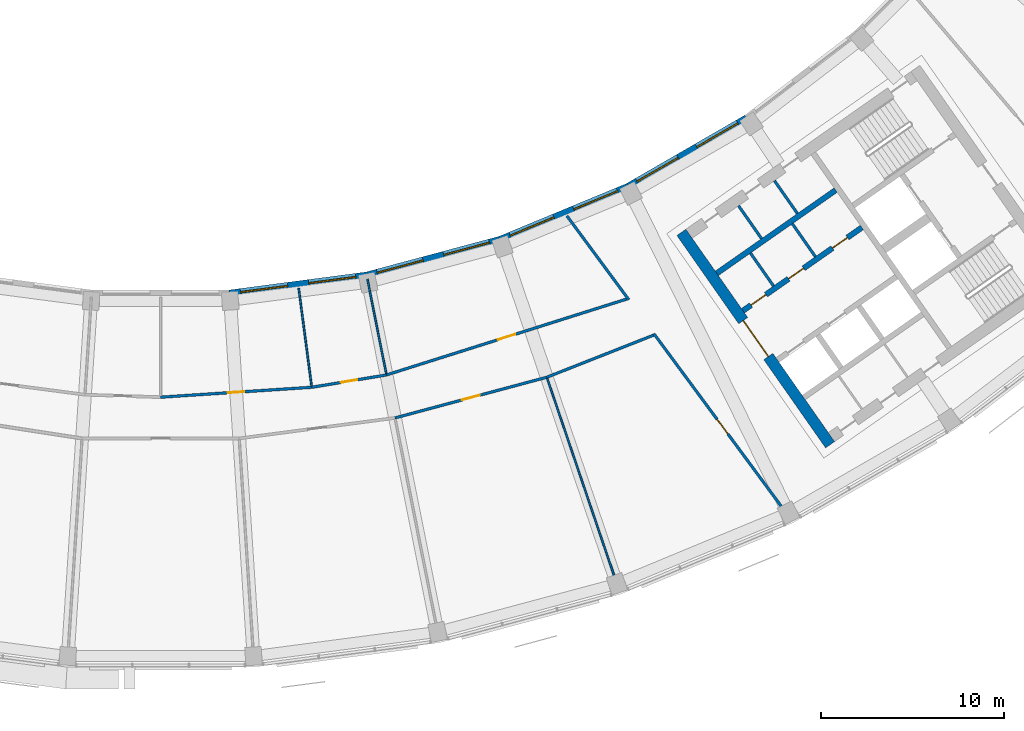
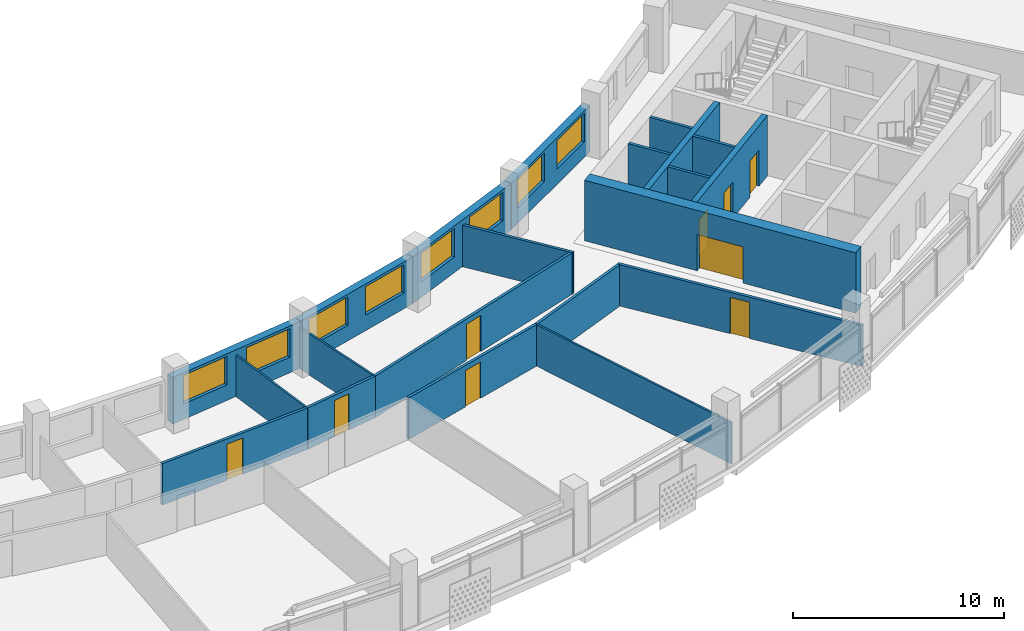
# One storey, part 6 of 28: 21 walls, 9 doors, 8 windows, 17 openings.
"""IFC4 building model written with IfcOpenShell, lengths in metres."""

import ifcopenshell
import ifcopenshell.guid

model = None  # the IFC model being written
_history = None  # IfcOwnerHistory: only IFC2X3 demands one
_inside = {}  # id of a spatial element -> (the spatial element, [elements in it])
_under = {}  # id of a project, library or spatial element -> (it, [spatial elements below it])
_declared = {}  # id of a project -> (the project, [libraries it declares])
_typed = {}  # id of a type object -> (the type object, [elements of that type])
_made_of = {}  # id of a material, layer set ... -> (it, [elements and type objects made of it])


def new_model(schema):
    """Start an empty IFC model of exactly this schema.

    Asked for "IFC4X3", IfcOpenShell would pick the latest addendum, in which some entities
    have other attributes; the version numbers below select the first issue.
    IFC2X3 requires an IfcOwnerHistory on every rooted entity: one is made here for all.
    """
    global model, _history
    if schema == "IFC4X3":
        model = ifcopenshell.file(schema_version=(4, 3, 0, 0))
    else:
        model = ifcopenshell.file(schema=schema)
    _inside.clear()
    _under.clear()
    _declared.clear()
    _typed.clear()
    _made_of.clear()
    _history = None
    if model.schema == "IFC2X3":
        org = make("IfcOrganization", Name="unknown")
        user = make(
            "IfcPersonAndOrganization",
            ThePerson=make("IfcPerson", FamilyName="unknown"),
            TheOrganization=org,
        )
        app = make(
            "IfcApplication",
            ApplicationDeveloper=org,
            Version="unknown",
            ApplicationFullName="unknown",
            ApplicationIdentifier="unknown",
        )
        _history = make(
            "IfcOwnerHistory",
            OwningUser=user,
            OwningApplication=app,
            ChangeAction="ADDED",
            CreationDate=0,
        )
    return model


def make(cls, **values):
    """One entity of the class cls with the attributes given. An attribute that is None is left unset."""
    return model.create_entity(
        cls, **{name: value for name, value in values.items() if value is not None}
    )


def rooted(cls, **values):
    """An entity with a GlobalId (a new one), such as an element, a storey or a relation."""
    return make(cls, GlobalId=ifcopenshell.guid.new(), OwnerHistory=_history, **values)


def si_unit(unit_type, name, prefix=None):
    """IfcSIUnit, for example si_unit("LENGTHUNIT", "METRE", prefix="MILLI")."""
    return make("IfcSIUnit", UnitType=unit_type, Prefix=prefix, Name=name)


def assignment(units):
    """IfcUnitAssignment: the units of a project."""
    return None if units is None else make("IfcUnitAssignment", Units=units)


def point(xyz):
    """IfcCartesianPoint."""
    return None if xyz is None else make("IfcCartesianPoint", Coordinates=xyz)


def direction(xyz):
    """IfcDirection."""
    return None if xyz is None else make("IfcDirection", DirectionRatios=xyz)


def frame(location, z_axis=None, x_axis=None):
    """IfcAxis2Placement3D, a coordinate frame: its origin and axes. An axis left out is left unset."""
    return make(
        "IfcAxis2Placement3D",
        Location=point(location),
        Axis=direction(z_axis),
        RefDirection=direction(x_axis),
    )


def frame_2d(location, x_axis=None):
    """IfcAxis2Placement2D, a coordinate frame in the plane: its origin and x axis."""
    return make(
        "IfcAxis2Placement2D", Location=point(location), RefDirection=direction(x_axis)
    )


def origin():
    """The frame at (0, 0, 0) with its axes left unset."""
    return frame((0.0, 0.0, 0.0))


def place(relative_to, where):
    """IfcLocalPlacement: puts the frame where relative to a parent placement (None: the world)."""
    return make(
        "IfcLocalPlacement", PlacementRelTo=relative_to, RelativePlacement=where
    )


def context(
    kind, dimensions, precision=None, world=None, true_north=None, identifier=None
):
    """IfcGeometricRepresentationContext, for example the 3D "Model" context."""
    return make(
        "IfcGeometricRepresentationContext",
        ContextIdentifier=identifier,
        ContextType=kind,
        CoordinateSpaceDimension=dimensions,
        Precision=precision,
        WorldCoordinateSystem=world,
        TrueNorth=true_north,
    )


def subcontext(parent, identifier, kind, view, scale=None):
    """IfcGeometricRepresentationSubContext, for example "Body" below "Model"."""
    return make(
        "IfcGeometricRepresentationSubContext",
        ContextIdentifier=identifier,
        ContextType=kind,
        ParentContext=parent,
        TargetScale=scale,
        TargetView=view,
    )


def project(units=None, contexts=None):
    """IfcProject with its units and contexts."""
    return rooted(
        "IfcProject",
        Name="project",
        RepresentationContexts=contexts,
        UnitsInContext=assignment(units),
    )


def spatial(cls, under=None, at=None, **own):
    """A site, building, storey or space (cls), placed at a placement, below another one or the project."""
    s = rooted(cls, ObjectPlacement=at, **own)
    if under is not None:
        _under.setdefault(under.id(), (under, []))[1].append(s)
    return s


def profile(cls, at=None, kind="AREA", **sizes):
    """A parametric profile (cls). Its sizes go by their IFC names, for example OverallWidth=200.0."""
    return make(cls, ProfileType=kind, Position=at, **sizes)


def rectangle(**sizes):
    """IfcRectangleProfileDef."""
    return profile("IfcRectangleProfileDef", **sizes)


def extrude(swept, where, along, depth):
    """IfcExtrudedAreaSolid: the profile swept, set in the frame where, extruded along a direction by depth."""
    return make(
        "IfcExtrudedAreaSolid",
        SweptArea=swept,
        Position=where,
        ExtrudedDirection=direction(along),
        Depth=depth,
    )


def shape(context_of_items, identifier, shape_type, items):
    """IfcShapeRepresentation: the items that make up one representation, for example the "Body"."""
    return make(
        "IfcShapeRepresentation",
        ContextOfItems=context_of_items,
        RepresentationIdentifier=identifier,
        RepresentationType=shape_type,
        Items=items,
    )


def material(Name=None, Category=None):
    """IfcMaterial."""
    return make("IfcMaterial", Name=Name, Category=Category)


def layer(
    of_material, thickness, ventilated=None, Name=None, Category=None, Priority=None
):
    """IfcMaterialLayer: one layer of a wall or slab, of a material (None: an air gap)."""
    return make(
        "IfcMaterialLayer",
        Material=of_material,
        LayerThickness=thickness,
        IsVentilated=ventilated,
        Name=Name,
        Category=Category,
        Priority=Priority,
    )


def layer_set(layers, Name=None):
    """IfcMaterialLayerSet."""
    return make("IfcMaterialLayerSet", MaterialLayers=layers, LayerSetName=Name)


def made_of(thing, what):
    """Note that an element or type object is made of a material, layer set ...; save() writes the relation."""
    if what is not None:
        _made_of.setdefault(what.id(), (what, []))[1].append(thing)
    return thing


def type_object(cls, material=None, **own):
    """A type object (cls), such as IfcWallType, which elements share."""
    return made_of(rooted(cls, **own), material)


def element(
    cls,
    number,
    at=None,
    inside=None,
    cuts=None,
    type_object=None,
    material=None,
    context=None,
    identifier="Body",
    shape_type=None,
    held_by="IfcProductDefinitionShape",
    body=None,
    shapes=None,
    **own,
):
    """One element of the class cls, such as IfcWall. Its Tag is "e" and its number.

    at: its placement. inside: the storey or other place that contains it. cuts: it is an
    opening in that element (IfcRelVoidsElement). A single representation is given by context,
    identifier, shape_type and body (its items); several are given by shapes. held_by: the class
    of the entity that holds the representations. save() writes the other relations.
    """
    e = rooted(cls, Tag="e%d" % number, ObjectPlacement=at, **own)
    if body is not None:
        shapes = [shape(context, identifier, shape_type, body)]
    if shapes is not None:
        e.Representation = make(held_by, Representations=shapes)
    if inside is not None:
        _inside.setdefault(inside.id(), (inside, []))[1].append(e)
    if cuts is not None:
        rooted(
            "IfcRelVoidsElement", RelatingBuildingElement=cuts, RelatedOpeningElement=e
        )
    if type_object is not None:
        _typed.setdefault(type_object.id(), (type_object, []))[1].append(e)
    return made_of(e, material)


def fill(opening, filler):
    """IfcRelFillsElement: the door or window that sits in an opening."""
    return rooted(
        "IfcRelFillsElement",
        RelatingOpeningElement=opening,
        RelatedBuildingElement=filler,
    )


def aggregate(whole, parts):
    """IfcRelAggregates: a whole, such as a stair, and the parts it consists of."""
    return rooted("IfcRelAggregates", RelatingObject=whole, RelatedObjects=parts)


def save(model, path):
    """Write the relations noted so far, then the file.

    IfcRelAggregates (storeys below a building ...), IfcRelContainedInSpatialStructure (elements
    in a storey), IfcRelDefinesByType, IfcRelAssociatesMaterial and IfcRelDeclares: one each for
    every whole, place, type object, material and project.
    """
    for whole, parts in _under.values():
        aggregate(whole, parts)
    for where, things in _inside.values():
        rooted(
            "IfcRelContainedInSpatialStructure",
            RelatedElements=things,
            RelatingStructure=where,
        )
    for kind, things in _typed.values():
        rooted("IfcRelDefinesByType", RelatedObjects=things, RelatingType=kind)
    for what, things in _made_of.values():
        rooted("IfcRelAssociatesMaterial", RelatedObjects=things, RelatingMaterial=what)
    for by, libraries in _declared.values():
        rooted("IfcRelDeclares", RelatingContext=by, RelatedDefinitions=libraries)
    model.write(path)


model = new_model("IFC4")

# Units and contexts
model_context = context("Model", 3, precision=1e-05, world=origin(), true_north=direction((0.0, 1.0)))
body_context = subcontext(model_context, "Body", "Model", "MODEL_VIEW")
ifc_project = project(units=[si_unit("LENGTHUNIT", "METRE"), si_unit("AREAUNIT", "SQUARE_METRE"), si_unit("VOLUMEUNIT", "CUBIC_METRE"), si_unit("PLANEANGLEUNIT", "RADIAN"), si_unit("MASSUNIT", "GRAM", prefix="KILO")], contexts=[model_context])

# Site, building, storey
site_placement = place(None, origin())
site = spatial("IfcSite", under=ifc_project, at=site_placement, CompositionType="ELEMENT")
building_placement = place(site_placement, origin())
building = spatial("IfcBuilding", under=site, at=building_placement, Name="Qamariyya Broadcast Tower", CompositionType="ELEMENT")
storey_placement = place(building_placement, frame((0.0, 0.0, 269.5)))
storey = spatial("IfcBuildingStorey", under=building, at=storey_placement, Name="L65", CompositionType="ELEMENT", Elevation=269.5)

# Wall, opening, door
ifc_material_1 = material(Name="Concrete C60/75", Category="concrete")
ifc_layer_1 = layer(ifc_material_1, 0.60009765625)
ifc_layer_set_1 = layer_set([ifc_layer_1], Name="Core wall 600 mm Concrete C60/75")
wall_type_1 = type_object("IfcWallType", Name="Core wall 600 mm Concrete C60/75", PredefinedType="SHEAR", material=ifc_layer_set_1)
wall_1_placement = place(storey_placement, frame((36.66748046875, -66.005126953125, 0.0), z_axis=(0.0, 0.0, 1.0), x_axis=(-0.573568499524, 0.819157601658, 0.0)))
wall_1 = element("IfcWall", 1, at=wall_1_placement, inside=storey, type_object=wall_type_1, Name="k-E-L65-WA", PredefinedType="SHEAR", context=body_context, shape_type="SweptSolid", body=[
    extrude(rectangle(XDim=14.19970703125, YDim=0.60009765625, at=frame_2d((7.099853515625, 0.0))), origin(), (0.0, 0.0, 1.0), 3.5),
])
opening_1_placement = place(wall_1_placement, frame((5.89990234375, 0.0, 0.0)))
opening_1 = element("IfcOpeningElement", 2, at=opening_1_placement, cuts=wall_1, Name="Opening KD3-E1", PredefinedType="OPENING", context=body_context, shape_type="SweptSolid", body=[
    extrude(rectangle(XDim=2.39990234375, YDim=2.10009765625, at=frame_2d((1.199951171875, 1.050048828125))), frame((0.0, 0.31005859375, 0.0), z_axis=(0.0, -1.0, 0.0), x_axis=(1.0, 0.0, 0.0)), (0.0, 0.0, 1.0), 0.6201171875),
])
ifc_material_2 = material(Name="Steel fire-resisting door leaf", Category="steel")
door_type_1 = type_object("IfcDoorType", Name="Lift lobby door KD3", OperationType="DOUBLE_DOOR_SINGLE_SWING", PredefinedType="DOOR", material=ifc_material_2)
door_1_placement = place(opening_1_placement, origin())
door_1 = element("IfcDoor", 3, at=door_1_placement, inside=storey, type_object=door_type_1, Name="k-E-L65-WA-D1", OperationType="DOUBLE_DOOR_SINGLE_SWING", OverallHeight=2.10009765625, OverallWidth=2.39990234375, PredefinedType="DOOR", context=body_context, shape_type="SweptSolid", body=[
    extrude(rectangle(XDim=2.39990234375, YDim=2.10009765625, at=frame_2d((1.199951171875, 1.050048828125))), frame((0.0, 0.02490234375, 0.0), z_axis=(0.0, -1.0, 0.0), x_axis=(1.0, 0.0, 0.0)), (0.0, 0.0, 1.0), 0.050048828125),
])
fill(opening_1, door_1)

ifc_material_3 = material(Name="Gypsum board partition")
ifc_layer_2 = layer(ifc_material_3, 0.14990234375)
ifc_layer_set_2 = layer_set([ifc_layer_2], Name="Corridor partition 150 EI 60")
wall_type_2 = type_object("IfcWallType", Name="Corridor partition 150 EI 60", PredefinedType="PARTITIONING", material=ifc_layer_set_2)
wall_2_placement = place(storey_placement, frame((0.0, -63.39990234375, 0.0), z_axis=(0.0, 0.0, 1.0), x_axis=(0.997860193426, 0.065383747038, 0.0)))
wall_2 = element("IfcWall", 4, at=wall_2_placement, inside=storey, type_object=wall_type_2, Name="Partition L65-018", PredefinedType="PARTITIONING", context=body_context, shape_type="SweptSolid", body=[
    extrude(rectangle(XDim=8.293212890625, YDim=0.14990234375, at=frame_2d((4.146484375, 0.0))), origin(), (0.0, 0.0, 1.0), 2.39990234375),
])
opening_2_placement = place(wall_2_placement, frame((3.696533203125, 0.0, 0.0)))
opening_2 = element("IfcOpeningElement", 5, at=opening_2_placement, cuts=wall_2, Name="Opening L65-D12", PredefinedType="OPENING", context=body_context, shape_type="SweptSolid", body=[
    extrude(rectangle(XDim=0.89990234375, YDim=2.10009765625, at=frame_2d((0.449951171875, 1.050048828125))), frame((0.0, 0.0849609375, 0.0), z_axis=(0.0, -1.0, 0.0), x_axis=(1.0, 0.0, 0.0)), (0.0, 0.0, 1.0), 0.169921875),
])
ifc_material_4 = material(Name="Timber fire door leaf", Category="wood")
door_type_2 = type_object("IfcDoorType", Name="Fire door 900 x 2100 FD60", OperationType="NOTDEFINED", PredefinedType="DOOR", material=ifc_material_4)
door_2_placement = place(opening_2_placement, origin())
door_2 = element("IfcDoor", 6, at=door_2_placement, inside=storey, type_object=door_type_2, Name="Door L65-D12", OperationType="SINGLE_SWING_RIGHT", OverallHeight=2.10009765625, OverallWidth=0.89990234375, PredefinedType="DOOR", context=body_context, shape_type="SweptSolid", body=[
    extrude(rectangle(XDim=0.89990234375, YDim=2.10009765625, at=frame_2d((0.449951171875, 1.050048828125))), frame((0.0, 0.02490234375, 0.0), z_axis=(0.0, -1.0, 0.0), x_axis=(1.0, 0.0, 0.0)), (0.0, 0.0, 1.0), 0.050048828125),
])
fill(opening_2, door_2)

wall_3_placement = place(storey_placement, frame((8.275390625, -62.857666015625, 0.0), z_axis=(0.0, 0.0, 1.0), x_axis=(0.986644067936, 0.162891016345, 0.0)))
wall_3 = element("IfcWall", 7, at=wall_3_placement, inside=storey, type_object=wall_type_2, Name="Partition L65-023", PredefinedType="PARTITIONING", context=body_context, shape_type="SweptSolid", body=[
    extrude(rectangle(XDim=4.148681640625, YDim=0.14990234375, at=frame_2d((2.07421875, 0.0))), origin(), (0.0, 0.0, 1.0), 2.39990234375),
])
opening_3_placement = place(wall_3_placement, frame((1.62451171875, 0.0, 0.0)))
opening_3 = element("IfcOpeningElement", 8, at=opening_3_placement, cuts=wall_3, Name="Opening L65-D13", PredefinedType="OPENING", context=body_context, shape_type="SweptSolid", body=[
    extrude(rectangle(XDim=0.89990234375, YDim=2.10009765625, at=frame_2d((0.449951171875, 1.050048828125))), frame((0.0, 0.0849609375, 0.0), z_axis=(0.0, -1.0, 0.0), x_axis=(1.0, 0.0, 0.0)), (0.0, 0.0, 1.0), 0.169921875),
])
door_3_placement = place(opening_3_placement, origin())
door_3 = element("IfcDoor", 9, at=door_3_placement, inside=storey, type_object=door_type_2, Name="Door L65-D13", OperationType="SINGLE_SWING_RIGHT", OverallHeight=2.10009765625, OverallWidth=0.89990234375, PredefinedType="DOOR", context=body_context, shape_type="SweptSolid", body=[
    extrude(rectangle(XDim=0.89990234375, YDim=2.10009765625, at=frame_2d((0.449951171875, 1.050048828125))), frame((0.0, 0.02490234375, 0.0), z_axis=(0.0, -1.0, 0.0), x_axis=(1.0, 0.0, 0.0)), (0.0, 0.0, 1.0), 0.050048828125),
])
fill(opening_3, door_3)

wall_4_placement = place(storey_placement, frame((12.36865234375, -62.181884765625, 0.0), z_axis=(0.0, 0.0, 1.0), x_axis=(0.953549502203, 0.301236363754, 0.0)))
wall_4 = element("IfcWall", 10, at=wall_4_placement, inside=storey, type_object=wall_type_2, Name="Partition L65-025", PredefinedType="PARTITIONING", context=body_context, shape_type="SweptSolid", body=[
    extrude(rectangle(XDim=13.798828125, YDim=0.14990234375, at=frame_2d((6.8994140625, 0.0))), origin(), (0.0, 0.0, 1.0), 2.39990234375),
])
opening_4_placement = place(wall_4_placement, frame((6.3994140625, 0.0, 0.0)))
opening_4 = element("IfcOpeningElement", 11, at=opening_4_placement, cuts=wall_4, Name="Opening L65-D14", PredefinedType="OPENING", context=body_context, shape_type="SweptSolid", body=[
    extrude(rectangle(XDim=1.0, YDim=2.10009765625, at=frame_2d((0.5, 1.050048828125))), frame((0.0, 0.0849609375, 0.0), z_axis=(0.0, -1.0, 0.0), x_axis=(1.0, 0.0, 0.0)), (0.0, 0.0, 1.0), 0.169921875),
])
door_type_3 = type_object("IfcDoorType", Name="Fire door 1000 x 2100 FD60", OperationType="NOTDEFINED", PredefinedType="DOOR", material=ifc_material_4)
door_4_placement = place(opening_4_placement, origin())
door_4 = element("IfcDoor", 12, at=door_4_placement, inside=storey, type_object=door_type_3, Name="Door L65-D14", OperationType="SINGLE_SWING_RIGHT", OverallHeight=2.10009765625, OverallWidth=1.0, PredefinedType="DOOR", context=body_context, shape_type="SweptSolid", body=[
    extrude(rectangle(XDim=1.0, YDim=2.10009765625, at=frame_2d((0.5, 1.050048828125))), frame((0.0, 0.02490234375, 0.0), z_axis=(0.0, -1.0, 0.0), x_axis=(1.0, 0.0, 0.0)), (0.0, 0.0, 1.0), 0.050048828125),
])
fill(opening_4, door_4)

wall_5_placement = place(storey_placement, frame((21.150634765625, -62.30810546875, 0.0), z_axis=(0.0, 0.0, 1.0), x_axis=(-0.965929186451, -0.258806504483, 0.0)))
wall_5 = element("IfcWall", 13, at=wall_5_placement, inside=storey, type_object=wall_type_2, Name="Partition L65-026", PredefinedType="PARTITIONING", context=body_context, shape_type="SweptSolid", body=[
    extrude(rectangle(XDim=8.60693359375, YDim=0.14990234375, at=frame_2d((4.303466796875, 0.0))), origin(), (0.0, 0.0, 1.0), 2.39990234375),
])
opening_5_placement = place(wall_5_placement, frame((3.803466796875, 0.0, 0.0)))
opening_5 = element("IfcOpeningElement", 14, at=opening_5_placement, cuts=wall_5, Name="Opening L65-D06", PredefinedType="OPENING", context=body_context, shape_type="SweptSolid", body=[
    extrude(rectangle(XDim=1.0, YDim=2.10009765625, at=frame_2d((0.5, 1.050048828125))), frame((0.0, 0.0849609375, 0.0), z_axis=(0.0, -1.0, 0.0), x_axis=(1.0, 0.0, 0.0)), (0.0, 0.0, 1.0), 0.169921875),
])
door_5_placement = place(opening_5_placement, origin())
door_5 = element("IfcDoor", 15, at=door_5_placement, inside=storey, type_object=door_type_3, Name="Door L65-D06", OperationType="SINGLE_SWING_RIGHT", OverallHeight=2.10009765625, OverallWidth=1.0, PredefinedType="DOOR", context=body_context, shape_type="SweptSolid", body=[
    extrude(rectangle(XDim=1.0, YDim=2.10009765625, at=frame_2d((0.5, 1.050048828125))), frame((0.0, 0.02490234375, 0.0), z_axis=(0.0, -1.0, 0.0), x_axis=(1.0, 0.0, 0.0)), (0.0, 0.0, 1.0), 0.050048828125),
])
fill(opening_5, door_5)

# Walls
wall_6_placement = place(storey_placement, frame((21.150634765625, -62.30810546875, 0.0), z_axis=(0.0, 0.0, 1.0), x_axis=(0.930319497785, 0.366750094806, 0.0)))
element("IfcWall", 16, at=wall_6_placement, inside=storey, type_object=wall_type_2, Name="Partition L65-028", PredefinedType="PARTITIONING", context=body_context, shape_type="SweptSolid", body=[
    extrude(rectangle(XDim=6.274169921875, YDim=0.14990234375, at=frame_2d((3.13720703125, 0.0))), origin(), (0.0, 0.0, 1.0), 2.39990234375),
])
wall_7_placement = place(storey_placement, frame((22.251953125, -53.469482421875, 0.0), z_axis=(0.0, 0.0, 1.0), x_axis=(0.593872728047, -0.804558999006, 0.0)))
element("IfcWall", 17, at=wall_7_placement, inside=storey, type_object=wall_type_2, Name="Partition L65-029", PredefinedType="PARTITIONING", context=body_context, shape_type="SweptSolid", body=[
    extrude(rectangle(XDim=5.709228515625, YDim=0.14990234375, at=frame_2d((2.8544921875, 0.0))), origin(), (0.0, 0.0, 1.0), 2.39990234375),
])

# Wall, opening, door
wall_8_placement = place(storey_placement, frame((34.534423828125, -70.109130859375, 0.0), z_axis=(0.0, 0.0, 1.0), x_axis=(-0.593869528805, 0.804561360467, 0.0)))
wall_8 = element("IfcWall", 18, at=wall_8_placement, inside=storey, type_object=wall_type_2, Name="Partition L65-031", PredefinedType="PARTITIONING", context=body_context, shape_type="SweptSolid", body=[
    extrude(rectangle(XDim=12.665283203125, YDim=0.14990234375, at=frame_2d((6.33251953125, 0.0))), origin(), (0.0, 0.0, 1.0), 2.39990234375),
])
opening_6_placement = place(wall_8_placement, frame((5.832763671875, 0.0, 0.0)))
opening_6 = element("IfcOpeningElement", 19, at=opening_6_placement, cuts=wall_8, Name="Opening L65-D07", PredefinedType="OPENING", context=body_context, shape_type="SweptSolid", body=[
    extrude(rectangle(XDim=1.0, YDim=2.10009765625, at=frame_2d((0.5, 1.050048828125))), frame((0.0, 0.0849609375, 0.0), z_axis=(0.0, -1.0, 0.0), x_axis=(1.0, 0.0, 0.0)), (0.0, 0.0, 1.0), 0.169921875),
])
door_6_placement = place(opening_6_placement, origin())
door_6 = element("IfcDoor", 20, at=door_6_placement, inside=storey, type_object=door_type_3, Name="Door L65-D07", OperationType="SINGLE_SWING_RIGHT", OverallHeight=2.10009765625, OverallWidth=1.0, PredefinedType="DOOR", context=body_context, shape_type="SweptSolid", body=[
    extrude(rectangle(XDim=1.0, YDim=2.10009765625, at=frame_2d((0.5, 1.050048828125))), frame((0.0, 0.02490234375, 0.0), z_axis=(0.0, -1.0, 0.0), x_axis=(1.0, 0.0, 0.0)), (0.0, 0.0, 1.0), 0.050048828125),
])
fill(opening_6, door_6)

# Walls
ifc_material_5 = material(Name="Gypsum board partition on steel studs", Category="steel")
ifc_layer_3 = layer(ifc_material_5, 0.14990234375)
ifc_layer_set_3 = layer_set([ifc_layer_3], Name="Gypsum board partition 150 mm")
wall_type_3 = type_object("IfcWallType", Name="Gypsum board partition 150 mm", PredefinedType="PARTITIONING", material=ifc_layer_set_3)
for number, where, z_axis, x_axis, name in (
    (21, (33.569580078125, -57.3095703125, 0.0), (0.0, 0.0, 1.0), (-0.573507030513, 0.819200638399, 0.0), "k-E-L65-NC215"),
    (22, (35.86328125, -55.70361328125, 0.0), (0.0, 0.0, 1.0), (-0.573507030513, 0.819200638399, 0.0), "k-E-L65-NC495"),
):
    element("IfcWall", number, at=place(storey_placement, frame(where, z_axis=z_axis, x_axis=x_axis)), inside=storey, type_object=wall_type_3, Name=name, PredefinedType="PARTITIONING", context=body_context, shape_type="SweptSolid", body=[
        extrude(rectangle(XDim=2.199951171875, YDim=0.14990234375, at=frame_2d((1.10009765625, 0.0))), origin(), (0.0, 0.0, 1.0), 3.5),
    ])
wall_9_placement = place(storey_placement, frame((32.9140625, -54.716796875, 0.0), z_axis=(0.0, 0.0, 1.0), x_axis=(-0.573581496053, 0.819148501424, 0.0)))
element("IfcWall", 23, at=wall_9_placement, inside=storey, type_object=wall_type_3, Name="k-E-L65-NP310", PredefinedType="PARTITIONING", context=body_context, shape_type="SweptSolid", body=[
    extrude(rectangle(XDim=2.2001953125, YDim=0.14990234375, at=frame_2d((1.10009765625, 0.0))), origin(), (0.0, 0.0, 1.0), 3.5),
])
wall_10_placement = place(storey_placement, frame((34.8798828125, -53.340087890625, 0.0), z_axis=(0.0, 0.0, 1.0), x_axis=(-0.573559170999, 0.819164133348, 0.0)))
element("IfcWall", 24, at=wall_10_placement, inside=storey, type_object=wall_type_3, Name="k-E-L65-NP550", PredefinedType="PARTITIONING", context=body_context, shape_type="SweptSolid", body=[
    extrude(rectangle(XDim=2.19970703125, YDim=0.14990234375, at=frame_2d((1.099853515625, 0.0))), origin(), (0.0, 0.0, 1.0), 3.5),
])

# Wall, openings, doors
ifc_layer_4 = layer(ifc_material_1, 0.300048828125)
ifc_layer_set_4 = layer_set([ifc_layer_4], Name="Lift shaft wall 300 mm Concrete C60/75")
wall_type_4 = type_object("IfcWallType", Name="Lift shaft wall 300 mm Concrete C60/75", PredefinedType="SOLIDWALL", material=ifc_layer_set_4)
wall_11_placement = place(storey_placement, frame((31.89453125, -58.66552734375, 0.0), z_axis=(0.0, 0.0, 1.0), x_axis=(0.819166993208, 0.573555086491, 0.0)))
wall_11 = element("IfcWall", 25, at=wall_11_placement, inside=storey, type_object=wall_type_4, Name="k-E-L65-NF0", PredefinedType="SOLIDWALL", context=body_context, shape_type="SweptSolid", body=[
    extrude(rectangle(XDim=7.9501953125, YDim=0.300048828125, at=frame_2d((3.97509765625, 0.0))), origin(), (0.0, 0.0, 1.0), 3.5),
])
opening_7_placement = place(wall_11_placement, frame((0.53759765625, 0.0, 0.0)))
opening_7 = element("IfcOpeningElement", 26, at=opening_7_placement, cuts=wall_11, Name="Opening KD6-E1", PredefinedType="OPENING", context=body_context, shape_type="SweptSolid", body=[
    extrude(rectangle(XDim=1.0, YDim=2.10009765625, at=frame_2d((0.5, 1.050048828125))), frame((0.0, 0.159912109375, 0.0), z_axis=(0.0, -1.0, 0.0), x_axis=(1.0, 0.0, 0.0)), (0.0, 0.0, 1.0), 0.320068359375),
])
opening_8_placement = place(wall_11_placement, frame((3.050048828125, 0.0, 0.0)))
opening_8 = element("IfcOpeningElement", 27, at=opening_8_placement, cuts=wall_11, Name="Opening KD6-E2", PredefinedType="OPENING", context=body_context, shape_type="SweptSolid", body=[
    extrude(rectangle(XDim=1.0, YDim=2.10009765625, at=frame_2d((0.5, 1.050048828125))), frame((0.0, 0.159912109375, 0.0), z_axis=(0.0, -1.0, 0.0), x_axis=(1.0, 0.0, 0.0)), (0.0, 0.0, 1.0), 0.320068359375),
])
opening_9_placement = place(wall_11_placement, frame((5.987548828125, 0.0, 0.0)))
opening_9 = element("IfcOpeningElement", 28, at=opening_9_placement, cuts=wall_11, Name="Opening KD4-E1", PredefinedType="OPENING", context=body_context, shape_type="SweptSolid", body=[
    extrude(rectangle(XDim=1.0, YDim=2.10009765625, at=frame_2d((0.5, 1.050048828125))), frame((0.0, 0.159912109375, 0.0), z_axis=(0.0, -1.0, 0.0), x_axis=(1.0, 0.0, 0.0)), (0.0, 0.0, 1.0), 0.320068359375),
])
door_type_4 = type_object("IfcDoorType", Name="Core room door KD6", OperationType="SINGLE_SWING_LEFT", PredefinedType="DOOR", material=ifc_material_2)
door_7_placement = place(opening_7_placement, origin())
door_7 = element("IfcDoor", 29, at=door_7_placement, inside=storey, type_object=door_type_4, Name="k-E-L65-NF0-D2", OperationType="SINGLE_SWING_RIGHT", OverallHeight=2.10009765625, OverallWidth=1.0, PredefinedType="DOOR", context=body_context, shape_type="SweptSolid", body=[
    extrude(rectangle(XDim=1.0, YDim=2.10009765625, at=frame_2d((0.5, 1.050048828125))), frame((0.0, 0.02490234375, 0.0), z_axis=(0.0, -1.0, 0.0), x_axis=(1.0, 0.0, 0.0)), (0.0, 0.0, 1.0), 0.050048828125),
])
fill(opening_7, door_7)
door_8_placement = place(opening_8_placement, origin())
door_8 = element("IfcDoor", 30, at=door_8_placement, inside=storey, type_object=door_type_4, Name="k-E-L65-NF0-D3", OperationType="SINGLE_SWING_LEFT", OverallHeight=2.10009765625, OverallWidth=1.0, PredefinedType="DOOR", context=body_context, shape_type="SweptSolid", body=[
    extrude(rectangle(XDim=1.0, YDim=2.10009765625, at=frame_2d((0.5, 1.050048828125))), frame((0.0, 0.02490234375, 0.0), z_axis=(0.0, -1.0, 0.0), x_axis=(1.0, 0.0, 0.0)), (0.0, 0.0, 1.0), 0.050048828125),
])
fill(opening_8, door_8)
door_type_5 = type_object("IfcDoorType", Name="Riser and plant door KD4", OperationType="SINGLE_SWING_LEFT", PredefinedType="DOOR", material=ifc_material_2)
door_9_placement = place(opening_9_placement, origin())
door_9 = element("IfcDoor", 31, at=door_9_placement, inside=storey, type_object=door_type_5, Name="k-E-L65-NF0-D4", OperationType="SINGLE_SWING_RIGHT", OverallHeight=2.10009765625, OverallWidth=1.0, PredefinedType="DOOR", context=body_context, shape_type="SweptSolid", body=[
    extrude(rectangle(XDim=1.0, YDim=2.10009765625, at=frame_2d((0.5, 1.050048828125))), frame((0.0, 0.02490234375, 0.0), z_axis=(0.0, -1.0, 0.0), x_axis=(1.0, 0.0, 0.0)), (0.0, 0.0, 1.0), 0.050048828125),
])
fill(opening_9, door_9)

# Walls
wall_12_placement = place(storey_placement, frame((30.460693359375, -56.61767578125, 0.0), z_axis=(0.0, 0.0, 1.0), x_axis=(0.819142461705, 0.573590121456, 0.0)))
element("IfcWall", 32, at=wall_12_placement, inside=storey, type_object=wall_type_4, Name="k-E-L65-NB0", PredefinedType="SOLIDWALL", context=body_context, shape_type="SweptSolid", body=[
    extrude(rectangle(XDim=7.949951171875, YDim=0.300048828125, at=frame_2d((3.97509765625, 0.0))), origin(), (0.0, 0.0, 1.0), 3.5),
])
ifc_layer_5 = layer(ifc_material_3, 0.10009765625)
ifc_layer_set_5 = layer_set([ifc_layer_5], Name="Partition 100")
wall_type_5 = type_object("IfcWallType", Name="Partition 100", PredefinedType="PARTITIONING", material=ifc_layer_set_5)
wall_13_placement = place(storey_placement, frame((7.56103515625, -57.430908203125, 0.0), z_axis=(0.0, 0.0, 1.0), x_axis=(0.130516514475, -0.991446135425, 0.0)))
element("IfcWall", 33, at=wall_13_placement, inside=storey, type_object=wall_type_5, Name="Partition L65-022", PredefinedType="PARTITIONING", context=body_context, shape_type="SweptSolid", body=[
    extrude(rectangle(XDim=5.3984375, YDim=0.10009765625, at=frame_2d((2.69921875, 0.0))), origin(), (0.0, 0.0, 1.0), 2.39990234375),
])
wall_14_placement = place(storey_placement, frame((11.324951171875, -56.9345703125, 0.0), z_axis=(0.0, 0.0, 1.0), x_axis=(0.195083555743, -0.980786626274, 0.0)))
element("IfcWall", 34, at=wall_14_placement, inside=storey, type_object=wall_type_5, Name="Partition L65-024", PredefinedType="PARTITIONING", context=body_context, shape_type="SweptSolid", body=[
    extrude(rectangle(XDim=5.27490234375, YDim=0.10009765625, at=frame_2d((2.637451171875, 0.0))), origin(), (0.0, 0.0, 1.0), 2.39990234375),
])
wall_15_placement = place(storey_placement, frame((25.12060546875, -74.002685546875, 0.0), z_axis=(0.0, 0.0, 1.0), x_axis=(-0.321443803948, 0.946928656712, 0.0)))
element("IfcWall", 35, at=wall_15_placement, inside=storey, type_object=wall_type_5, Name="Partition L65-030", PredefinedType="PARTITIONING", context=body_context, shape_type="SweptSolid", body=[
    extrude(rectangle(XDim=12.275146484375, YDim=0.10009765625, at=frame_2d((6.1376953125, 0.0))), origin(), (0.0, 0.0, 1.0), 2.39990234375),
])

# Wall, openings, windows
ifc_material_6 = material(Name="Terracotta", Category="masonry")
ifc_layer_6 = layer(ifc_material_6, 0.39990234375)
ifc_layer_set_6 = layer_set([ifc_layer_6], Name="Terracotta clad wall 400")
wall_type_6 = type_object("IfcWallType", Name="Terracotta clad wall 400", PredefinedType="SOLIDWALL", material=ifc_layer_set_6)
wall_16_placement = place(storey_placement, frame((25.609619140625, -51.875, 0.0), z_axis=(0.0, 0.0, 1.0), x_axis=(-0.923887531937, -0.382664119472, 0.0)))
wall_16 = element("IfcWall", 36, at=wall_16_placement, inside=storey, type_object=wall_type_6, Name="e-wl-L65-in100", PredefinedType="SOLIDWALL", context=body_context, shape_type="SweptSolid", body=[
    extrude(rectangle(XDim=7.6171875, YDim=0.39990234375, at=frame_2d((3.80859375, 0.0))), origin(), (0.0, 0.0, 1.0), 2.699951171875),
])
opening_10_placement = place(wall_16_placement, frame((4.393798828125, 0.0, 0.89990234375)))
opening_10 = element("IfcOpeningElement", 37, at=opening_10_placement, cuts=wall_16, Name="Opening W1", PredefinedType="OPENING", context=body_context, shape_type="SweptSolid", body=[
    extrude(rectangle(XDim=2.60009765625, YDim=1.64990234375, at=frame_2d((1.300048828125, 0.824951171875))), frame((0.0, 0.2099609375, 0.0), z_axis=(0.0, -1.0, 0.0), x_axis=(1.0, 0.0, 0.0)), (0.0, 0.0, 1.0), 0.419921875),
])
opening_11_placement = place(wall_16_placement, frame((0.623291015625, 0.0, 0.89990234375)))
opening_11 = element("IfcOpeningElement", 38, at=opening_11_placement, cuts=wall_16, Name="Opening W1", PredefinedType="OPENING", context=body_context, shape_type="SweptSolid", body=[
    extrude(rectangle(XDim=2.60009765625, YDim=1.64990234375, at=frame_2d((1.300048828125, 0.824951171875))), frame((0.0, 0.2099609375, 0.0), z_axis=(0.0, -1.0, 0.0), x_axis=(1.0, 0.0, 0.0)), (0.0, 0.0, 1.0), 0.419921875),
])
ifc_material_7 = material(Name="Clear low-e double glazed unit in aluminium frame", Category="aluminium")
window_type = type_object("IfcWindowType", Name="Ribbon window 2600 x 1650", PartitioningType="SINGLE_PANEL", PredefinedType="WINDOW", material=ifc_material_7)
window_1_placement = place(opening_10_placement, origin())
window_1 = element("IfcWindow", 39, at=window_1_placement, inside=storey, type_object=window_type, Name="e-w-L65-in10-0", OverallHeight=1.64990234375, OverallWidth=2.60009765625, PartitioningType="SINGLE_PANEL", PredefinedType="WINDOW", context=body_context, shape_type="SweptSolid", body=[
    extrude(rectangle(XDim=2.60009765625, YDim=1.64990234375, at=frame_2d((1.300048828125, 0.824951171875))), frame((0.0, 0.030029296875, 0.0), z_axis=(0.0, -1.0, 0.0), x_axis=(1.0, 0.0, 0.0)), (0.0, 0.0, 1.0), 0.06005859375),
])
fill(opening_10, window_1)
window_2_placement = place(opening_11_placement, origin())
window_2 = element("IfcWindow", 40, at=window_2_placement, inside=storey, type_object=window_type, Name="e-w-L65-in10-1", OverallHeight=1.64990234375, OverallWidth=2.60009765625, PartitioningType="SINGLE_PANEL", PredefinedType="WINDOW", context=body_context, shape_type="SweptSolid", body=[
    extrude(rectangle(XDim=2.60009765625, YDim=1.64990234375, at=frame_2d((1.300048828125, 0.824951171875))), frame((0.0, 0.030029296875, 0.0), z_axis=(0.0, -1.0, 0.0), x_axis=(1.0, 0.0, 0.0)), (0.0, 0.0, 1.0), 0.06005859375),
])
fill(opening_11, window_2)

wall_17_placement = place(storey_placement, frame((32.095947265625, -48.126220703125, 0.0), z_axis=(0.0, 0.0, 1.0), x_axis=(-0.866016763373, -0.500014965334, 0.0)))
wall_17 = element("IfcWall", 41, at=wall_17_placement, inside=storey, type_object=wall_type_6, Name="e-wl-L65-in110", PredefinedType="SOLIDWALL", context=body_context, shape_type="SweptSolid", body=[
    extrude(rectangle(XDim=7.465576171875, YDim=0.39990234375, at=frame_2d((3.73291015625, 0.0))), origin(), (0.0, 0.0, 1.0), 2.699951171875),
])
opening_12_placement = place(wall_17_placement, frame((4.318115234375, 0.0, 0.89990234375)))
opening_12 = element("IfcOpeningElement", 42, at=opening_12_placement, cuts=wall_17, Name="Opening W1", PredefinedType="OPENING", context=body_context, shape_type="SweptSolid", body=[
    extrude(rectangle(XDim=2.60009765625, YDim=1.64990234375, at=frame_2d((1.300048828125, 0.824951171875))), frame((0.0, 0.2099609375, 0.0), z_axis=(0.0, -1.0, 0.0), x_axis=(1.0, 0.0, 0.0)), (0.0, 0.0, 1.0), 0.419921875),
])
opening_13_placement = place(wall_17_placement, frame((0.547607421875, 0.0, 0.89990234375)))
opening_13 = element("IfcOpeningElement", 43, at=opening_13_placement, cuts=wall_17, Name="Opening W1", PredefinedType="OPENING", context=body_context, shape_type="SweptSolid", body=[
    extrude(rectangle(XDim=2.60009765625, YDim=1.64990234375, at=frame_2d((1.300048828125, 0.824951171875))), frame((0.0, 0.2099609375, 0.0), z_axis=(0.0, -1.0, 0.0), x_axis=(1.0, 0.0, 0.0)), (0.0, 0.0, 1.0), 0.419921875),
])
window_3_placement = place(opening_12_placement, origin())
window_3 = element("IfcWindow", 44, at=window_3_placement, inside=storey, type_object=window_type, Name="e-w-L65-in11-0", OverallHeight=1.64990234375, OverallWidth=2.60009765625, PartitioningType="SINGLE_PANEL", PredefinedType="WINDOW", context=body_context, shape_type="SweptSolid", body=[
    extrude(rectangle(XDim=2.60009765625, YDim=1.64990234375, at=frame_2d((1.300048828125, 0.824951171875))), frame((0.0, 0.030029296875, 0.0), z_axis=(0.0, -1.0, 0.0), x_axis=(1.0, 0.0, 0.0)), (0.0, 0.0, 1.0), 0.06005859375),
])
fill(opening_12, window_3)
window_4_placement = place(opening_13_placement, origin())
window_4 = element("IfcWindow", 45, at=window_4_placement, inside=storey, type_object=window_type, Name="e-w-L65-in11-1", OverallHeight=1.64990234375, OverallWidth=2.60009765625, PartitioningType="SINGLE_PANEL", PredefinedType="WINDOW", context=body_context, shape_type="SweptSolid", body=[
    extrude(rectangle(XDim=2.60009765625, YDim=1.64990234375, at=frame_2d((1.300048828125, 0.824951171875))), frame((0.0, 0.030029296875, 0.0), z_axis=(0.0, -1.0, 0.0), x_axis=(1.0, 0.0, 0.0)), (0.0, 0.0, 1.0), 0.06005859375),
])
fill(opening_13, window_4)

wall_18_placement = place(storey_placement, frame((11.310791015625, -56.735595703125, 0.0), z_axis=(0.0, 0.0, 1.0), x_axis=(-0.991446548217, -0.130513378733, 0.0)))
wall_18 = element("IfcWall", 46, at=wall_18_placement, inside=storey, type_object=wall_type_6, Name="e-wl-L65-in80", PredefinedType="SOLIDWALL", context=body_context, shape_type="SweptSolid", body=[
    extrude(rectangle(XDim=7.6171875, YDim=0.39990234375, at=frame_2d((3.80859375, 0.0))), origin(), (0.0, 0.0, 1.0), 2.699951171875),
])
opening_14_placement = place(wall_18_placement, frame((4.393798828125, 0.0, 0.89990234375)))
opening_14 = element("IfcOpeningElement", 47, at=opening_14_placement, cuts=wall_18, Name="Opening W1", PredefinedType="OPENING", context=body_context, shape_type="SweptSolid", body=[
    extrude(rectangle(XDim=2.60009765625, YDim=1.64990234375, at=frame_2d((1.300048828125, 0.824951171875))), frame((0.0, 0.2099609375, 0.0), z_axis=(0.0, -1.0, 0.0), x_axis=(1.0, 0.0, 0.0)), (0.0, 0.0, 1.0), 0.419921875),
])
opening_15_placement = place(wall_18_placement, frame((0.623291015625, 0.0, 0.89990234375)))
opening_15 = element("IfcOpeningElement", 48, at=opening_15_placement, cuts=wall_18, Name="Opening W1", PredefinedType="OPENING", context=body_context, shape_type="SweptSolid", body=[
    extrude(rectangle(XDim=2.60009765625, YDim=1.64990234375, at=frame_2d((1.300048828125, 0.824951171875))), frame((0.0, 0.2099609375, 0.0), z_axis=(0.0, -1.0, 0.0), x_axis=(1.0, 0.0, 0.0)), (0.0, 0.0, 1.0), 0.419921875),
])
window_5_placement = place(opening_14_placement, origin())
window_5 = element("IfcWindow", 49, at=window_5_placement, inside=storey, type_object=window_type, Name="e-w-L65-in08-0", OverallHeight=1.64990234375, OverallWidth=2.60009765625, PartitioningType="SINGLE_PANEL", PredefinedType="WINDOW", context=body_context, shape_type="SweptSolid", body=[
    extrude(rectangle(XDim=2.60009765625, YDim=1.64990234375, at=frame_2d((1.300048828125, 0.824951171875))), frame((0.0, 0.030029296875, 0.0), z_axis=(0.0, -1.0, 0.0), x_axis=(1.0, 0.0, 0.0)), (0.0, 0.0, 1.0), 0.06005859375),
])
fill(opening_14, window_5)
window_6_placement = place(opening_15_placement, origin())
window_6 = element("IfcWindow", 50, at=window_6_placement, inside=storey, type_object=window_type, Name="e-w-L65-in08-1", OverallHeight=1.64990234375, OverallWidth=2.60009765625, PartitioningType="SINGLE_PANEL", PredefinedType="WINDOW", context=body_context, shape_type="SweptSolid", body=[
    extrude(rectangle(XDim=2.60009765625, YDim=1.64990234375, at=frame_2d((1.300048828125, 0.824951171875))), frame((0.0, 0.030029296875, 0.0), z_axis=(0.0, -1.0, 0.0), x_axis=(1.0, 0.0, 0.0)), (0.0, 0.0, 1.0), 0.06005859375),
])
fill(opening_15, window_6)

wall_19_placement = place(storey_placement, frame((18.54638671875, -54.79345703125, 0.0), z_axis=(0.0, 0.0, 1.0), x_axis=(-0.965923236695, -0.258828709406, 0.0)))
wall_19 = element("IfcWall", 51, at=wall_19_placement, inside=storey, type_object=wall_type_6, Name="e-wl-L65-in90", PredefinedType="SOLIDWALL", context=body_context, shape_type="SweptSolid", body=[
    extrude(rectangle(XDim=7.4658203125, YDim=0.39990234375, at=frame_2d((3.73291015625, 0.0))), origin(), (0.0, 0.0, 1.0), 2.699951171875),
])
opening_16_placement = place(wall_19_placement, frame((4.318115234375, 0.0, 0.89990234375)))
opening_16 = element("IfcOpeningElement", 52, at=opening_16_placement, cuts=wall_19, Name="Opening W1", PredefinedType="OPENING", context=body_context, shape_type="SweptSolid", body=[
    extrude(rectangle(XDim=2.60009765625, YDim=1.64990234375, at=frame_2d((1.300048828125, 0.824951171875))), frame((0.0, 0.2099609375, 0.0), z_axis=(0.0, -1.0, 0.0), x_axis=(1.0, 0.0, 0.0)), (0.0, 0.0, 1.0), 0.419921875),
])
opening_17_placement = place(wall_19_placement, frame((0.547607421875, 0.0, 0.89990234375)))
opening_17 = element("IfcOpeningElement", 53, at=opening_17_placement, cuts=wall_19, Name="Opening W1", PredefinedType="OPENING", context=body_context, shape_type="SweptSolid", body=[
    extrude(rectangle(XDim=2.60009765625, YDim=1.64990234375, at=frame_2d((1.300048828125, 0.824951171875))), frame((0.0, 0.2099609375, 0.0), z_axis=(0.0, -1.0, 0.0), x_axis=(1.0, 0.0, 0.0)), (0.0, 0.0, 1.0), 0.419921875),
])
window_7_placement = place(opening_16_placement, origin())
window_7 = element("IfcWindow", 54, at=window_7_placement, inside=storey, type_object=window_type, Name="e-w-L65-in09-0", OverallHeight=1.64990234375, OverallWidth=2.60009765625, PartitioningType="SINGLE_PANEL", PredefinedType="WINDOW", context=body_context, shape_type="SweptSolid", body=[
    extrude(rectangle(XDim=2.60009765625, YDim=1.64990234375, at=frame_2d((1.300048828125, 0.824951171875))), frame((0.0, 0.030029296875, 0.0), z_axis=(0.0, -1.0, 0.0), x_axis=(1.0, 0.0, 0.0)), (0.0, 0.0, 1.0), 0.06005859375),
])
fill(opening_16, window_7)
window_8_placement = place(opening_17_placement, origin())
window_8 = element("IfcWindow", 55, at=window_8_placement, inside=storey, type_object=window_type, Name="e-w-L65-in09-1", OverallHeight=1.64990234375, OverallWidth=2.60009765625, PartitioningType="SINGLE_PANEL", PredefinedType="WINDOW", context=body_context, shape_type="SweptSolid", body=[
    extrude(rectangle(XDim=2.60009765625, YDim=1.64990234375, at=frame_2d((1.300048828125, 0.824951171875))), frame((0.0, 0.030029296875, 0.0), z_axis=(0.0, -1.0, 0.0), x_axis=(1.0, 0.0, 0.0)), (0.0, 0.0, 1.0), 0.06005859375),
])
fill(opening_17, window_8)

save(model, "model.ifc")
